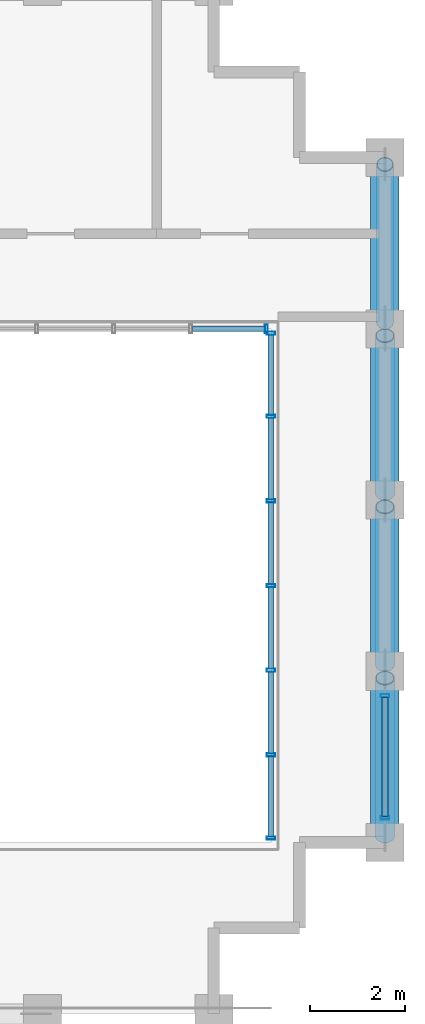
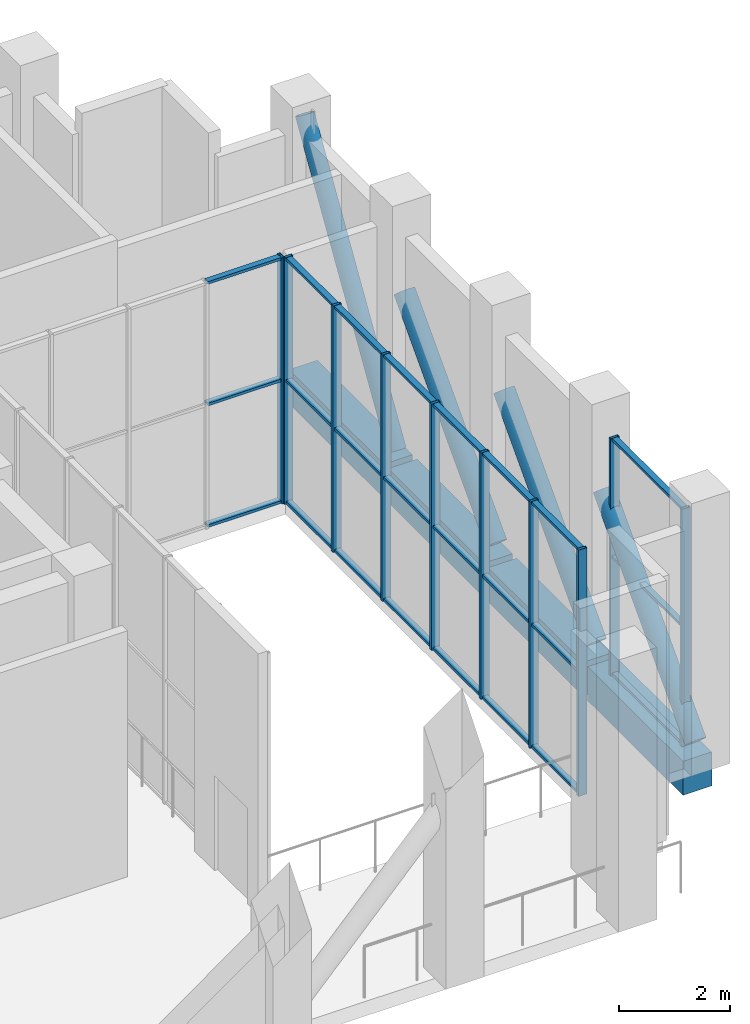
# One storey, part 11 of 17: 38 members, 4 beams, 3 elements without a shape of their own.
"""IFC4 building model written with IfcOpenShell, lengths in metres."""

from ifc_helpers import new_model, si_unit, direction, frame, origin, origin_2d, place, context, subcontext, project, spatial, rectangle, hollow_rectangle, hollow_circle, extrude, material, layer, layer_set, material_profile, profile_set, type_object, element, aggregate, save


model = new_model("IFC4")

# Units and contexts
model_context = context("Model", 3, precision=1e-05, world=origin(), true_north=direction((0.0, 1.0)))
body_context = subcontext(model_context, "Body", "Model", "MODEL_VIEW")
ifc_project = project(units=[si_unit("LENGTHUNIT", "METRE"), si_unit("AREAUNIT", "SQUARE_METRE"), si_unit("VOLUMEUNIT", "CUBIC_METRE"), si_unit("PLANEANGLEUNIT", "RADIAN"), si_unit("MASSUNIT", "GRAM", prefix="KILO")], contexts=[model_context])

# Site, building, storey
site_placement = place(None, origin())
site = spatial("IfcSite", under=ifc_project, at=site_placement, CompositionType="ELEMENT")
building_placement = place(site_placement, origin())
building = spatial("IfcBuilding", under=site, at=building_placement, Name="Solnavia Interchange Tower", CompositionType="ELEMENT")
storey_placement = place(building_placement, frame((0.0, 0.0, 249.800048828125)))
storey = spatial("IfcBuildingStorey", under=building, at=storey_placement, Name="L63", CompositionType="ELEMENT", Elevation=249.800048828125)

# Beams
ifc_material_1 = material(Name="Concrete C50/60", Category="concrete")
ifc_material_profile_1 = material_profile(ifc_material_1, rectangle(XDim=0.60009765625, YDim=0.75, at=origin_2d()), Name="RC 600x750")
ifc_profile_set_1 = profile_set([ifc_material_profile_1], Name="Concrete C50/60")
beam_type = type_object("IfcBeamType", Name="Beam-Spandrel-RC600x750", PredefinedType="SPANDREL", material=ifc_profile_set_1)
beam_1_placement = place(storey_placement, frame((43.199951171875, 7.280029296875, -0.375), z_axis=(0.0, 1.0, 0.0), x_axis=(-1.0, 0.0, 0.0)))
element("IfcBeam", 1, at=beam_1_placement, inside=storey, type_object=beam_type, Name="SPB-L63-11 Framed-tube perimeter spandrel beam", PredefinedType="SPANDREL", context=body_context, shape_type="SweptSolid", body=[
    extrude(rectangle(XDim=0.60009765625, YDim=0.75, at=origin_2d()), origin(), (0.0, 0.0, 1.0), 3.43994140625),
])
beam_2_placement = place(storey_placement, frame((43.199951171875, 10.8798828125, -0.375), z_axis=(0.0, 1.0, 0.0), x_axis=(-1.0, 0.0, 0.0)))
element("IfcBeam", 2, at=beam_2_placement, inside=storey, type_object=beam_type, Name="SPB-L63-12 Framed-tube perimeter spandrel beam", PredefinedType="SPANDREL", context=body_context, shape_type="SweptSolid", body=[
    extrude(rectangle(XDim=0.60009765625, YDim=0.75, at=origin_2d()), origin(), (0.0, 0.0, 1.0), 3.440185546875),
])
for number, where, z_axis, x_axis, name in (
    (3, (43.199951171875, 14.47998046875, -0.375), (0.0, 1.0, 0.0), (-1.0, 0.0, 0.0), "SPB-L63-13 Framed-tube perimeter spandrel beam"),
    (4, (43.199951171875, 18.080078125, -0.375), (0.0, 1.0, 0.0), (-1.0, 0.0, 0.0), "SPB-L63-14 Framed-tube perimeter spandrel beam"),
):
    element("IfcBeam", number, at=place(storey_placement, frame(where, z_axis=z_axis, x_axis=x_axis)), inside=storey, type_object=beam_type, Name=name, PredefinedType="SPANDREL", context=body_context, shape_type="SweptSolid", body=[
        extrude(rectangle(XDim=0.60009765625, YDim=0.75, at=origin_2d()), origin(), (0.0, 0.0, 1.0), 3.43994140625),
    ])

# Member
ifc_material_2 = material(Name="Steel S460", Category="steel")
ifc_material_profile_2 = material_profile(ifc_material_2, hollow_circle(Radius=0.177734375, WallThickness=0.01611328125, at=origin_2d()), Name="CHS 355.6x16")
ifc_profile_set_2 = profile_set([ifc_material_profile_2], Name="Steel S460")
member_type_1 = type_object("IfcMemberType", Name="Brace-Perim-CHS355", PredefinedType="BRACE", material=ifc_profile_set_2)
member_1_placement = place(storey_placement, frame((43.199951171875, 18.139892578125, 0.179931640625), z_axis=(0.0, 0.524448109341, 0.851442411798), x_axis=(-1.0, 0.0, 0.0)))
element("IfcMember", 5, at=member_1_placement, inside=storey, type_object=member_type_1, Name="BRC-L63-03 Perimeter tube diagonal brace", PredefinedType="BRACE", context=body_context, shape_type="SweptSolid", body=[
    extrude(hollow_circle(Radius=0.177734375, WallThickness=0.01611328125, at=origin_2d()), origin(), (0.0, 0.0, 1.0), 6.33056640625),
])

# Curtain wall, member
ifc_material_3 = material(Name="Aluminium Alloy 6063-T6", Category="aluminium")
ifc_layer = layer(ifc_material_3, 0.199951171875)
ifc_layer_set = layer_set([ifc_layer], Name="Aluminium Alloy 6063-T6")
curtain_wall_type = type_object("IfcCurtainWallType", Name="CurtainWall-Louvre-CTW5", PredefinedType="NOTDEFINED", material=ifc_layer_set)
curtain_wall_1_placement = place(storey_placement, origin())
curtain_wall_1 = element("IfcCurtainWall", 6, at=curtain_wall_1_placement, inside=storey, type_object=curtain_wall_type, Name="CTW-L63-WP1 CTW-5 curtain wall", PredefinedType="NOTDEFINED")
ifc_material_profile_3 = material_profile(ifc_material_3, hollow_rectangle(XDim=0.06494140625, YDim=0.179931640625, WallThickness=0.00439453125, at=origin_2d()), Name="ALU 180x65x4.5")
ifc_profile_set_3 = profile_set([ifc_material_profile_3], Name="Aluminium Alloy 6063-T6")
member_type_2 = type_object("IfcMemberType", Name="CW-Mullion-CWM-5", PredefinedType="MULLION", material=ifc_profile_set_3)
member_2_placement = place(storey_placement, frame((40.70751953125, 18.0, 0.0), z_axis=(0.0, 0.0, 1.0), x_axis=(1.0, 0.0, 0.0)))
member_2 = element("IfcMember", 7, at=member_2_placement, type_object=member_type_2, Name="CTW-5 mullion 5", PredefinedType="MULLION", context=body_context, shape_type="SweptSolid", body=[
    extrude(hollow_rectangle(XDim=0.06494140625, YDim=0.179931640625, WallThickness=0.00439453125, at=origin_2d()), origin(), (0.0, 0.0, 1.0), 5.419921875),
])

# Curtain wall, members
curtain_wall_2_placement = place(storey_placement, origin())
curtain_wall_2 = element("IfcCurtainWall", 8, at=curtain_wall_2_placement, inside=storey, type_object=curtain_wall_type, Name="CTW-L63-WP3 CTW-5 curtain wall", PredefinedType="NOTDEFINED")
member_3_placement = place(storey_placement, frame((40.800048828125, 7.29248046875, 0.0), z_axis=(0.0, 0.0, 1.0), x_axis=(0.0, 1.0, 0.0)))
member_3 = element("IfcMember", 9, at=member_3_placement, type_object=member_type_2, Name="CTW-5 mullion 1", PredefinedType="MULLION", context=body_context, shape_type="SweptSolid", body=[
    extrude(hollow_rectangle(XDim=0.06494140625, YDim=0.179931640625, WallThickness=0.00439453125, at=origin_2d()), origin(), (0.0, 0.0, 1.0), 5.429931640625),
])
member_4_placement = place(storey_placement, frame((40.800048828125, 9.0400390625, 0.0), z_axis=(0.0, 0.0, 1.0), x_axis=(0.0, 1.0, 0.0)))
member_4 = element("IfcMember", 10, at=member_4_placement, type_object=member_type_2, Name="CTW-5 mullion 2", PredefinedType="MULLION", context=body_context, shape_type="SweptSolid", body=[
    extrude(hollow_rectangle(XDim=0.06494140625, YDim=0.179931640625, WallThickness=0.00439453125, at=origin_2d()), origin(), (0.0, 0.0, 1.0), 5.429931640625),
])
member_5_placement = place(storey_placement, frame((40.800048828125, 10.820068359375, 0.0), z_axis=(0.0, 0.0, 1.0), x_axis=(0.0, 1.0, 0.0)))
member_5 = element("IfcMember", 11, at=member_5_placement, type_object=member_type_2, Name="CTW-5 mullion 3", PredefinedType="MULLION", context=body_context, shape_type="SweptSolid", body=[
    extrude(hollow_rectangle(XDim=0.06494140625, YDim=0.179931640625, WallThickness=0.00439453125, at=origin_2d()), origin(), (0.0, 0.0, 1.0), 5.429931640625),
])
member_6_placement = place(storey_placement, frame((40.800048828125, 12.60009765625, 0.0), z_axis=(0.0, 0.0, 1.0), x_axis=(0.0, 1.0, 0.0)))
member_6 = element("IfcMember", 12, at=member_6_placement, type_object=member_type_2, Name="CTW-5 mullion 4", PredefinedType="MULLION", context=body_context, shape_type="SweptSolid", body=[
    extrude(hollow_rectangle(XDim=0.06494140625, YDim=0.179931640625, WallThickness=0.00439453125, at=origin_2d()), origin(), (0.0, 0.0, 1.0), 5.429931640625),
])
member_7_placement = place(storey_placement, frame((40.800048828125, 14.3798828125, 0.0), z_axis=(0.0, 0.0, 1.0), x_axis=(0.0, 1.0, 0.0)))
member_7 = element("IfcMember", 13, at=member_7_placement, type_object=member_type_2, Name="CTW-5 mullion 5", PredefinedType="MULLION", context=body_context, shape_type="SweptSolid", body=[
    extrude(hollow_rectangle(XDim=0.06494140625, YDim=0.179931640625, WallThickness=0.00439453125, at=origin_2d()), origin(), (0.0, 0.0, 1.0), 5.429931640625),
])
member_8_placement = place(storey_placement, frame((40.800048828125, 16.159912109375, 0.0), z_axis=(0.0, 0.0, 1.0), x_axis=(0.0, 1.0, 0.0)))
member_8 = element("IfcMember", 14, at=member_8_placement, type_object=member_type_2, Name="CTW-5 mullion 6", PredefinedType="MULLION", context=body_context, shape_type="SweptSolid", body=[
    extrude(hollow_rectangle(XDim=0.06494140625, YDim=0.179931640625, WallThickness=0.00439453125, at=origin_2d()), origin(), (0.0, 0.0, 1.0), 5.429931640625),
])
member_9_placement = place(storey_placement, frame((40.800048828125, 17.907470703125, 0.0), z_axis=(0.0, 0.0, 1.0), x_axis=(0.0, 1.0, 0.0)))
member_9 = element("IfcMember", 15, at=member_9_placement, type_object=member_type_2, Name="CTW-5 mullion 7", PredefinedType="MULLION", context=body_context, shape_type="SweptSolid", body=[
    extrude(hollow_rectangle(XDim=0.06494140625, YDim=0.179931640625, WallThickness=0.00439453125, at=origin_2d()), origin(), (0.0, 0.0, 1.0), 5.429931640625),
])

curtain_wall_3_placement = place(storey_placement, origin())
curtain_wall_3 = element("IfcCurtainWall", 16, at=curtain_wall_3_placement, inside=storey, type_object=curtain_wall_type, Name="CTW-L63-L09 CTW-5 curtain wall", PredefinedType="NOTDEFINED")
member_10_placement = place(storey_placement, frame((43.199951171875, 7.715087890625, 0.0), z_axis=(0.0, 0.0, 1.0), x_axis=(0.0, 1.0, 0.0)))
member_10 = element("IfcMember", 17, at=member_10_placement, type_object=member_type_2, Name="CTW-5 mullion 1", PredefinedType="MULLION", context=body_context, shape_type="SweptSolid", body=[
    extrude(hollow_rectangle(XDim=0.06494140625, YDim=0.179931640625, WallThickness=0.00439453125, at=origin_2d()), origin(), (0.0, 0.0, 1.0), 5.22998046875),
])
member_11_placement = place(storey_placement, frame((43.199951171875, 10.284912109375, 0.0), z_axis=(0.0, 0.0, 1.0), x_axis=(0.0, 1.0, 0.0)))
member_11 = element("IfcMember", 18, at=member_11_placement, type_object=member_type_2, Name="CTW-5 mullion 2", PredefinedType="MULLION", context=body_context, shape_type="SweptSolid", body=[
    extrude(hollow_rectangle(XDim=0.06494140625, YDim=0.179931640625, WallThickness=0.00439453125, at=origin_2d()), origin(), (0.0, 0.0, 1.0), 5.22998046875),
])

# Member
ifc_material_profile_4 = material_profile(ifc_material_3, hollow_rectangle(XDim=0.06005859375, YDim=0.1201171875, WallThickness=0.00390625, at=origin_2d()), Name="ALU 120x60x4")
ifc_profile_set_4 = profile_set([ifc_material_profile_4], Name="Aluminium Alloy 6063-T6")
member_type_3 = type_object("IfcMemberType", Name="CW-Transom-CWT-5", PredefinedType="USERDEFINED", material=ifc_profile_set_4)
member_12_placement = place(storey_placement, frame((39.152587890625, 18.0, 0.030029296875), z_axis=(1.0, 0.0, 0.0), x_axis=(0.0, 0.0, 1.0)))
member_12 = element("IfcMember", 19, at=member_12_placement, type_object=member_type_3, Name="CTW-5 transom 4.1", ObjectType="TRANSOM", PredefinedType="USERDEFINED", context=body_context, shape_type="SweptSolid", body=[
    extrude(hollow_rectangle(XDim=0.06005859375, YDim=0.1201171875, WallThickness=0.00390625, at=origin_2d()), origin(), (0.0, 0.0, 1.0), 1.5224609375),
])

member_13_placement = place(storey_placement, frame((39.152587890625, 18.0, 2.7099609375), z_axis=(1.0, 0.0, 0.0), x_axis=(0.0, 0.0, 1.0)))
member_13 = element("IfcMember", 20, at=member_13_placement, type_object=member_type_3, Name="CTW-5 transom 4.2", ObjectType="TRANSOM", PredefinedType="USERDEFINED", context=body_context, shape_type="SweptSolid", body=[
    extrude(hollow_rectangle(XDim=0.06005859375, YDim=0.1201171875, WallThickness=0.00390625, at=origin_2d()), origin(), (0.0, 0.0, 1.0), 1.5224609375),
])

member_14_placement = place(storey_placement, frame((39.152587890625, 18.0, 5.389892578125), z_axis=(1.0, 0.0, 0.0), x_axis=(0.0, 0.0, 1.0)))
member_14 = element("IfcMember", 21, at=member_14_placement, type_object=member_type_3, Name="CTW-5 transom 4.3", ObjectType="TRANSOM", PredefinedType="USERDEFINED", context=body_context, shape_type="SweptSolid", body=[
    extrude(hollow_rectangle(XDim=0.06005859375, YDim=0.1201171875, WallThickness=0.00390625, at=origin_2d()), origin(), (0.0, 0.0, 1.0), 1.5224609375),
])

aggregate(curtain_wall_1, [member_2, member_12, member_13, member_14])

member_15_placement = place(storey_placement, frame((40.800048828125, 7.324951171875, 0.030029296875), z_axis=(0.0, 1.0, 0.0), x_axis=(0.0, 0.0, 1.0)))
member_15 = element("IfcMember", 22, at=member_15_placement, type_object=member_type_3, Name="CTW-5 transom 1.1", ObjectType="TRANSOM", PredefinedType="USERDEFINED", context=body_context, shape_type="SweptSolid", body=[
    extrude(hollow_rectangle(XDim=0.06005859375, YDim=0.1201171875, WallThickness=0.00390625, at=origin_2d()), origin(), (0.0, 0.0, 1.0), 1.6826171875),
])

member_16_placement = place(storey_placement, frame((40.800048828125, 7.324951171875, 2.71484375), z_axis=(0.0, 1.0, 0.0), x_axis=(0.0, 0.0, 1.0)))
member_16 = element("IfcMember", 23, at=member_16_placement, type_object=member_type_3, Name="CTW-5 transom 1.2", ObjectType="TRANSOM", PredefinedType="USERDEFINED", context=body_context, shape_type="SweptSolid", body=[
    extrude(hollow_rectangle(XDim=0.06005859375, YDim=0.1201171875, WallThickness=0.00390625, at=origin_2d()), origin(), (0.0, 0.0, 1.0), 1.6826171875),
])

member_17_placement = place(storey_placement, frame((40.800048828125, 7.324951171875, 5.39990234375), z_axis=(0.0, 1.0, 0.0), x_axis=(0.0, 0.0, 1.0)))
member_17 = element("IfcMember", 24, at=member_17_placement, type_object=member_type_3, Name="CTW-5 transom 1.3", ObjectType="TRANSOM", PredefinedType="USERDEFINED", context=body_context, shape_type="SweptSolid", body=[
    extrude(hollow_rectangle(XDim=0.06005859375, YDim=0.1201171875, WallThickness=0.00390625, at=origin_2d()), origin(), (0.0, 0.0, 1.0), 1.6826171875),
])

member_18_placement = place(storey_placement, frame((40.800048828125, 9.072509765625, 0.030029296875), z_axis=(0.0, 1.0, 0.0), x_axis=(0.0, 0.0, 1.0)))
member_18 = element("IfcMember", 25, at=member_18_placement, type_object=member_type_3, Name="CTW-5 transom 2.1", ObjectType="TRANSOM", PredefinedType="USERDEFINED", context=body_context, shape_type="SweptSolid", body=[
    extrude(hollow_rectangle(XDim=0.06005859375, YDim=0.1201171875, WallThickness=0.00390625, at=origin_2d()), origin(), (0.0, 0.0, 1.0), 1.715087890625),
])

member_19_placement = place(storey_placement, frame((40.800048828125, 9.072509765625, 2.71484375), z_axis=(0.0, 1.0, 0.0), x_axis=(0.0, 0.0, 1.0)))
member_19 = element("IfcMember", 26, at=member_19_placement, type_object=member_type_3, Name="CTW-5 transom 2.2", ObjectType="TRANSOM", PredefinedType="USERDEFINED", context=body_context, shape_type="SweptSolid", body=[
    extrude(hollow_rectangle(XDim=0.06005859375, YDim=0.1201171875, WallThickness=0.00390625, at=origin_2d()), origin(), (0.0, 0.0, 1.0), 1.715087890625),
])

member_20_placement = place(storey_placement, frame((40.800048828125, 9.072509765625, 5.39990234375), z_axis=(0.0, 1.0, 0.0), x_axis=(0.0, 0.0, 1.0)))
member_20 = element("IfcMember", 27, at=member_20_placement, type_object=member_type_3, Name="CTW-5 transom 2.3", ObjectType="TRANSOM", PredefinedType="USERDEFINED", context=body_context, shape_type="SweptSolid", body=[
    extrude(hollow_rectangle(XDim=0.06005859375, YDim=0.1201171875, WallThickness=0.00390625, at=origin_2d()), origin(), (0.0, 0.0, 1.0), 1.715087890625),
])

member_21_placement = place(storey_placement, frame((40.800048828125, 10.8525390625, 0.030029296875), z_axis=(0.0, 1.0, 0.0), x_axis=(0.0, 0.0, 1.0)))
member_21 = element("IfcMember", 28, at=member_21_placement, type_object=member_type_3, Name="CTW-5 transom 3.1", ObjectType="TRANSOM", PredefinedType="USERDEFINED", context=body_context, shape_type="SweptSolid", body=[
    extrude(hollow_rectangle(XDim=0.06005859375, YDim=0.1201171875, WallThickness=0.00390625, at=origin_2d()), origin(), (0.0, 0.0, 1.0), 1.71484375),
])

member_22_placement = place(storey_placement, frame((40.800048828125, 10.8525390625, 2.71484375), z_axis=(0.0, 1.0, 0.0), x_axis=(0.0, 0.0, 1.0)))
member_22 = element("IfcMember", 29, at=member_22_placement, type_object=member_type_3, Name="CTW-5 transom 3.2", ObjectType="TRANSOM", PredefinedType="USERDEFINED", context=body_context, shape_type="SweptSolid", body=[
    extrude(hollow_rectangle(XDim=0.06005859375, YDim=0.1201171875, WallThickness=0.00390625, at=origin_2d()), origin(), (0.0, 0.0, 1.0), 1.71484375),
])

member_23_placement = place(storey_placement, frame((40.800048828125, 10.8525390625, 5.39990234375), z_axis=(0.0, 1.0, 0.0), x_axis=(0.0, 0.0, 1.0)))
member_23 = element("IfcMember", 30, at=member_23_placement, type_object=member_type_3, Name="CTW-5 transom 3.3", ObjectType="TRANSOM", PredefinedType="USERDEFINED", context=body_context, shape_type="SweptSolid", body=[
    extrude(hollow_rectangle(XDim=0.06005859375, YDim=0.1201171875, WallThickness=0.00390625, at=origin_2d()), origin(), (0.0, 0.0, 1.0), 1.71484375),
])

member_24_placement = place(storey_placement, frame((40.800048828125, 12.632568359375, 0.030029296875), z_axis=(0.0, 1.0, 0.0), x_axis=(0.0, 0.0, 1.0)))
member_24 = element("IfcMember", 31, at=member_24_placement, type_object=member_type_3, Name="CTW-5 transom 4.1", ObjectType="TRANSOM", PredefinedType="USERDEFINED", context=body_context, shape_type="SweptSolid", body=[
    extrude(hollow_rectangle(XDim=0.06005859375, YDim=0.1201171875, WallThickness=0.00390625, at=origin_2d()), origin(), (0.0, 0.0, 1.0), 1.71484375),
])

member_25_placement = place(storey_placement, frame((40.800048828125, 12.632568359375, 2.71484375), z_axis=(0.0, 1.0, 0.0), x_axis=(0.0, 0.0, 1.0)))
member_25 = element("IfcMember", 32, at=member_25_placement, type_object=member_type_3, Name="CTW-5 transom 4.2", ObjectType="TRANSOM", PredefinedType="USERDEFINED", context=body_context, shape_type="SweptSolid", body=[
    extrude(hollow_rectangle(XDim=0.06005859375, YDim=0.1201171875, WallThickness=0.00390625, at=origin_2d()), origin(), (0.0, 0.0, 1.0), 1.71484375),
])

member_26_placement = place(storey_placement, frame((40.800048828125, 12.632568359375, 5.39990234375), z_axis=(0.0, 1.0, 0.0), x_axis=(0.0, 0.0, 1.0)))
member_26 = element("IfcMember", 33, at=member_26_placement, type_object=member_type_3, Name="CTW-5 transom 4.3", ObjectType="TRANSOM", PredefinedType="USERDEFINED", context=body_context, shape_type="SweptSolid", body=[
    extrude(hollow_rectangle(XDim=0.06005859375, YDim=0.1201171875, WallThickness=0.00390625, at=origin_2d()), origin(), (0.0, 0.0, 1.0), 1.71484375),
])

member_27_placement = place(storey_placement, frame((40.800048828125, 14.41259765625, 0.030029296875), z_axis=(0.0, 1.0, 0.0), x_axis=(0.0, 0.0, 1.0)))
member_27 = element("IfcMember", 34, at=member_27_placement, type_object=member_type_3, Name="CTW-5 transom 5.1", ObjectType="TRANSOM", PredefinedType="USERDEFINED", context=body_context, shape_type="SweptSolid", body=[
    extrude(hollow_rectangle(XDim=0.06005859375, YDim=0.1201171875, WallThickness=0.00390625, at=origin_2d()), origin(), (0.0, 0.0, 1.0), 1.71484375),
])

member_28_placement = place(storey_placement, frame((40.800048828125, 14.41259765625, 2.71484375), z_axis=(0.0, 1.0, 0.0), x_axis=(0.0, 0.0, 1.0)))
member_28 = element("IfcMember", 35, at=member_28_placement, type_object=member_type_3, Name="CTW-5 transom 5.2", ObjectType="TRANSOM", PredefinedType="USERDEFINED", context=body_context, shape_type="SweptSolid", body=[
    extrude(hollow_rectangle(XDim=0.06005859375, YDim=0.1201171875, WallThickness=0.00390625, at=origin_2d()), origin(), (0.0, 0.0, 1.0), 1.71484375),
])

member_29_placement = place(storey_placement, frame((40.800048828125, 14.41259765625, 5.39990234375), z_axis=(0.0, 1.0, 0.0), x_axis=(0.0, 0.0, 1.0)))
member_29 = element("IfcMember", 36, at=member_29_placement, type_object=member_type_3, Name="CTW-5 transom 5.3", ObjectType="TRANSOM", PredefinedType="USERDEFINED", context=body_context, shape_type="SweptSolid", body=[
    extrude(hollow_rectangle(XDim=0.06005859375, YDim=0.1201171875, WallThickness=0.00390625, at=origin_2d()), origin(), (0.0, 0.0, 1.0), 1.71484375),
])

member_30_placement = place(storey_placement, frame((40.800048828125, 16.1923828125, 0.030029296875), z_axis=(0.0, 1.0, 0.0), x_axis=(0.0, 0.0, 1.0)))
member_30 = element("IfcMember", 37, at=member_30_placement, type_object=member_type_3, Name="CTW-5 transom 6.1", ObjectType="TRANSOM", PredefinedType="USERDEFINED", context=body_context, shape_type="SweptSolid", body=[
    extrude(hollow_rectangle(XDim=0.06005859375, YDim=0.1201171875, WallThickness=0.00390625, at=origin_2d()), origin(), (0.0, 0.0, 1.0), 1.6826171875),
])

member_31_placement = place(storey_placement, frame((40.800048828125, 16.1923828125, 2.71484375), z_axis=(0.0, 1.0, 0.0), x_axis=(0.0, 0.0, 1.0)))
member_31 = element("IfcMember", 38, at=member_31_placement, type_object=member_type_3, Name="CTW-5 transom 6.2", ObjectType="TRANSOM", PredefinedType="USERDEFINED", context=body_context, shape_type="SweptSolid", body=[
    extrude(hollow_rectangle(XDim=0.06005859375, YDim=0.1201171875, WallThickness=0.00390625, at=origin_2d()), origin(), (0.0, 0.0, 1.0), 1.6826171875),
])

member_32_placement = place(storey_placement, frame((40.800048828125, 16.1923828125, 5.39990234375), z_axis=(0.0, 1.0, 0.0), x_axis=(0.0, 0.0, 1.0)))
member_32 = element("IfcMember", 39, at=member_32_placement, type_object=member_type_3, Name="CTW-5 transom 6.3", ObjectType="TRANSOM", PredefinedType="USERDEFINED", context=body_context, shape_type="SweptSolid", body=[
    extrude(hollow_rectangle(XDim=0.06005859375, YDim=0.1201171875, WallThickness=0.00390625, at=origin_2d()), origin(), (0.0, 0.0, 1.0), 1.6826171875),
])

aggregate(curtain_wall_2, [member_3, member_4, member_5, member_6, member_7, member_8, member_9, member_15, member_16, member_17, member_18, member_19, member_20, member_21, member_22, member_23, member_24, member_25, member_26, member_27, member_28, member_29, member_30, member_31, member_32])

member_33_placement = place(storey_placement, frame((43.199951171875, 7.74755859375, 0.030029296875), z_axis=(0.0, 1.0, 0.0), x_axis=(0.0, 0.0, 1.0)))
member_33 = element("IfcMember", 40, at=member_33_placement, type_object=member_type_3, Name="CTW-5 transom 1.1", ObjectType="TRANSOM", PredefinedType="USERDEFINED", context=body_context, shape_type="SweptSolid", body=[
    extrude(hollow_rectangle(XDim=0.06005859375, YDim=0.1201171875, WallThickness=0.00390625, at=origin_2d()), origin(), (0.0, 0.0, 1.0), 2.5048828125),
])

member_34_placement = place(storey_placement, frame((43.199951171875, 7.74755859375, 2.614990234375), z_axis=(0.0, 1.0, 0.0), x_axis=(0.0, 0.0, 1.0)))
member_34 = element("IfcMember", 41, at=member_34_placement, type_object=member_type_3, Name="CTW-5 transom 1.2", ObjectType="TRANSOM", PredefinedType="USERDEFINED", context=body_context, shape_type="SweptSolid", body=[
    extrude(hollow_rectangle(XDim=0.06005859375, YDim=0.1201171875, WallThickness=0.00390625, at=origin_2d()), origin(), (0.0, 0.0, 1.0), 2.5048828125),
])

member_35_placement = place(storey_placement, frame((43.199951171875, 7.74755859375, 5.199951171875), z_axis=(0.0, 1.0, 0.0), x_axis=(0.0, 0.0, 1.0)))
member_35 = element("IfcMember", 42, at=member_35_placement, type_object=member_type_3, Name="CTW-5 transom 1.3", ObjectType="TRANSOM", PredefinedType="USERDEFINED", context=body_context, shape_type="SweptSolid", body=[
    extrude(hollow_rectangle(XDim=0.06005859375, YDim=0.1201171875, WallThickness=0.00390625, at=origin_2d()), origin(), (0.0, 0.0, 1.0), 2.5048828125),
])

aggregate(curtain_wall_3, [member_10, member_11, member_33, member_34, member_35])

# Members
ifc_material_profile_5 = material_profile(ifc_material_2, hollow_circle(Radius=0.203125, WallThickness=0.02001953125, at=origin_2d()), Name="CHS 406.4x20")
ifc_profile_set_5 = profile_set([ifc_material_profile_5], Name="Steel S460")
member_type_4 = type_object("IfcMemberType", Name="Outrigger-Diag-CHS406", PredefinedType="BRACE", material=ifc_profile_set_5)
for number, where, z_axis, x_axis, name in (
    (43, (43.199951171875, 7.340087890625, 0.300048828125), (0.0, 0.683051696253, 0.730370029674), (-1.0, 0.0, 0.0), "OTR-L63-BT02 Belt truss diagonal"),
    (44, (43.199951171875, 10.93994140625, 0.300048828125), (0.0, 0.683078490531, 0.73034497039), (-1.0, 0.0, 0.0), "OTR-L63-BT03 Belt truss diagonal"),
    (45, (43.199951171875, 14.5400390625, 0.300048828125), (0.0, 0.683078490531, 0.73034497039), (-1.0, 0.0, 0.0), "OTR-L63-BT04 Belt truss diagonal"),
):
    element("IfcMember", number, at=place(storey_placement, frame(where, z_axis=z_axis, x_axis=x_axis)), inside=storey, type_object=member_type_4, Name=name, PredefinedType="BRACE", context=body_context, shape_type="SweptSolid", body=[
        extrude(hollow_circle(Radius=0.203125, WallThickness=0.02001953125, at=origin_2d()), origin(), (0.0, 0.0, 1.0), 4.8603515625),
    ])

save(model, "model.ifc")
